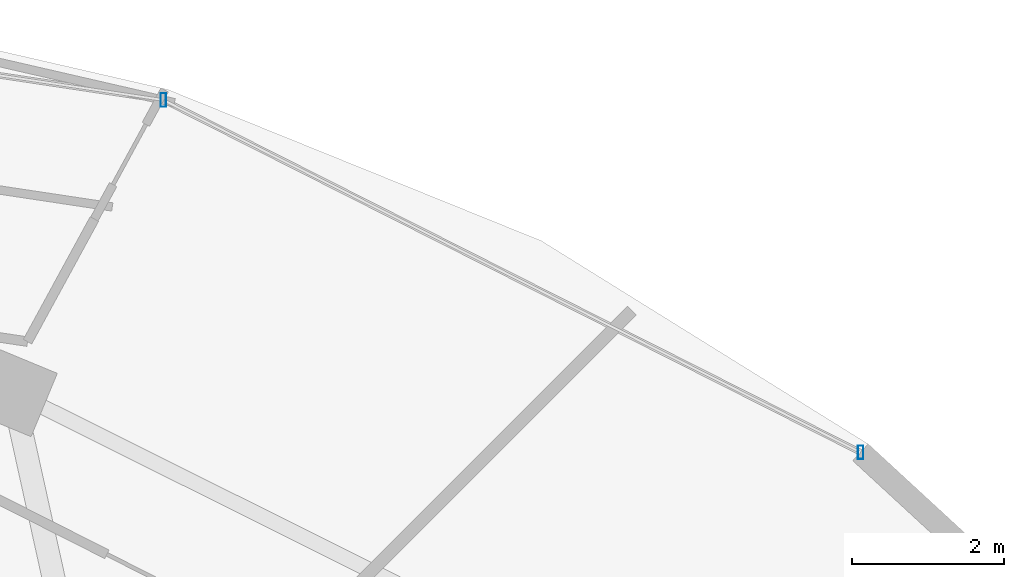
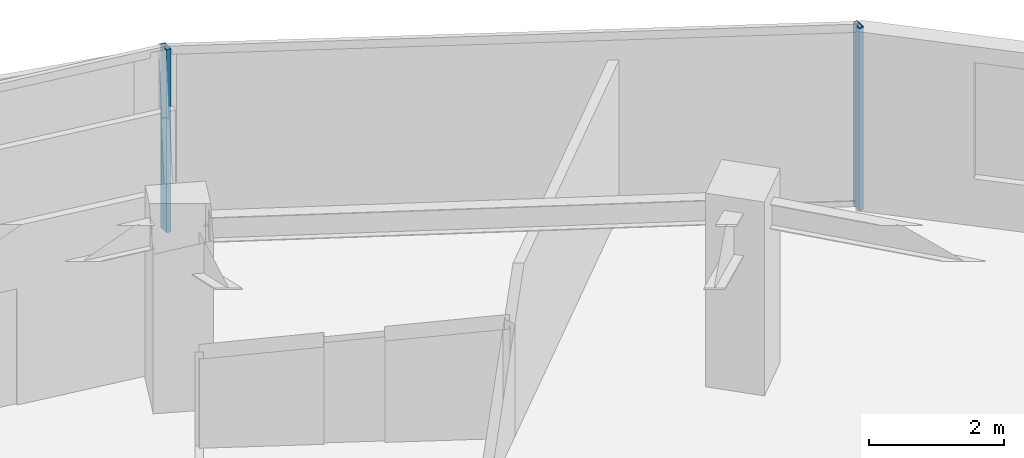
# One storey, part 22 of 33: 2 members, 1 element without a shape of its own.
"""IFC4 building model written with IfcOpenShell, lengths in metres."""

from ifc_helpers import new_model, si_unit, direction, frame, origin, origin_2d, place, context, subcontext, project, spatial, hollow_rectangle, extrude, material, material_profile, profile_set, type_object, element, aggregate, save


model = new_model("IFC4")

# Units and contexts
model_context = context("Model", 3, precision=1e-05, world=origin(), true_north=direction((0.0, 1.0)))
body_context = subcontext(model_context, "Body", "Model", "MODEL_VIEW")
ifc_project = project(units=[si_unit("LENGTHUNIT", "METRE"), si_unit("AREAUNIT", "SQUARE_METRE"), si_unit("VOLUMEUNIT", "CUBIC_METRE"), si_unit("PLANEANGLEUNIT", "RADIAN"), si_unit("MASSUNIT", "GRAM", prefix="KILO")], contexts=[model_context])

# Site, building, storey
site_placement = place(None, origin())
site = spatial("IfcSite", under=ifc_project, at=site_placement, CompositionType="ELEMENT")
building_placement = place(site_placement, origin())
building = spatial("IfcBuilding", under=site, at=building_placement, Name="Vorneva Point Tower", CompositionType="ELEMENT")
storey_placement = place(building_placement, frame((0.0, 0.0, 189.60009765625)))
storey = spatial("IfcBuildingStorey", under=building, at=storey_placement, Name="L51", CompositionType="ELEMENT", Elevation=189.60009765625)

# Curtain wall, members
ifc_material = material(Name="Pale anodised aluminium", Category="aluminium")
curtain_wall_type = type_object("IfcCurtainWallType", Name="CW-RES-SYS", PredefinedType="NOTDEFINED", material=ifc_material)
curtain_wall_placement = place(storey_placement, origin())
curtain_wall = element("IfcCurtainWall", 1, at=curtain_wall_placement, inside=storey, type_object=curtain_wall_type, Name="L51 Unitised Curtain Wall CW-L51-R02", PredefinedType="NOTDEFINED")
ifc_material_profile = material_profile(ifc_material, hollow_rectangle(XDim=0.074951171875, YDim=0.179931640625, WallThickness=0.00390625, at=origin_2d()), Name="AL-MUL 180x75x4")
ifc_profile_set = profile_set([ifc_material_profile], Name="Pale anodised aluminium")
member_type = type_object("IfcMemberType", Name="CW-MUL-180", PredefinedType="MULLION", material=ifc_profile_set)
member_1_placement = place(storey_placement, frame((57.961669921875, 41.0966796875, -0.0400390625), z_axis=(0.0, 0.0, 1.0), x_axis=(1.0, 0.0, 0.0)))
member_1 = element("IfcMember", 2, at=member_1_placement, type_object=member_type, Name="CW-L51-R02 Mullion 01", PredefinedType="MULLION", context=body_context, shape_type="SweptSolid", body=[
    extrude(hollow_rectangle(XDim=0.074951171875, YDim=0.179931640625, WallThickness=0.00390625, at=origin_2d()), origin(), (0.0, 0.0, 1.0), 3.31005859375),
])
member_2_placement = place(storey_placement, frame((48.80322265625, 45.724853515625, -0.0400390625), z_axis=(0.0, 0.0, 1.0), x_axis=(1.0, 0.0, 0.0)))
member_2 = element("IfcMember", 3, at=member_2_placement, type_object=member_type, Name="CW-L51-R02 Mullion 02", PredefinedType="MULLION", context=body_context, shape_type="SweptSolid", body=[
    extrude(hollow_rectangle(XDim=0.074951171875, YDim=0.179931640625, WallThickness=0.00390625, at=origin_2d()), origin(), (0.0, 0.0, 1.0), 3.31005859375),
])
aggregate(curtain_wall, [member_1, member_2])

save(model, "model.ifc")
